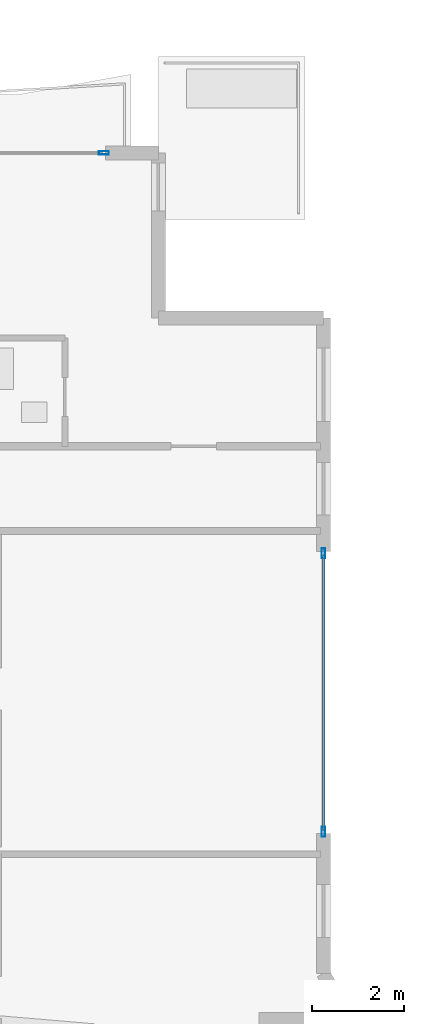
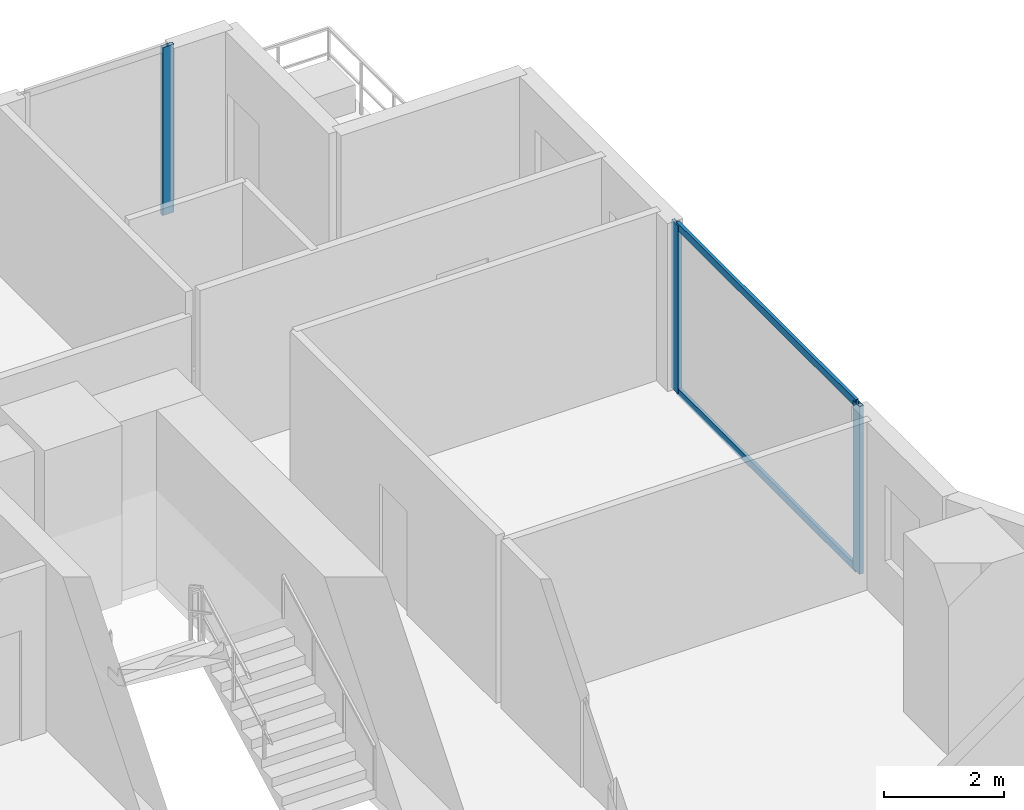
# One storey, part 17 of 28: 5 members, 2 elements without a shape of their own.
"""IFC4 building model written with IfcOpenShell, lengths in metres."""

from ifc_helpers import new_model, si_unit, direction, frame, origin, origin_2d, place, context, subcontext, project, spatial, hollow_rectangle, extrude, material, layer, layer_set, material_profile, profile_set, type_object, element, aggregate, save


model = new_model("IFC4")

# Units and contexts
model_context = context("Model", 3, precision=1e-05, world=origin(), true_north=direction((0.0, 1.0)))
body_context = subcontext(model_context, "Body", "Model", "MODEL_VIEW")
ifc_project = project(units=[si_unit("LENGTHUNIT", "METRE"), si_unit("AREAUNIT", "SQUARE_METRE"), si_unit("VOLUMEUNIT", "CUBIC_METRE"), si_unit("PLANEANGLEUNIT", "RADIAN"), si_unit("MASSUNIT", "GRAM", prefix="KILO")], contexts=[model_context])

# Site, building, storey
site_placement = place(None, origin())
site = spatial("IfcSite", under=ifc_project, at=site_placement, CompositionType="ELEMENT")
building_placement = place(site_placement, origin())
building = spatial("IfcBuilding", under=site, at=building_placement, Name="Zuhayl Quay Hotel", CompositionType="ELEMENT")
storey_placement = place(building_placement, frame((0.0, 0.0, 49.5)))
storey = spatial("IfcBuildingStorey", under=building, at=storey_placement, Name="L11", CompositionType="ELEMENT", Elevation=49.5)

# Curtain wall, member
ifc_material_1 = material(Name="Anodised Aluminium 6063-T6", Category="aluminium")
ifc_layer = layer(ifc_material_1, 0.18994140625, Name="Anodised Aluminium 6063-T6", Category="aluminium")
ifc_layer_set = layer_set([ifc_layer], Name="Anodised Aluminium 6063-T6")
curtain_wall_type = type_object("IfcCurtainWallType", Name="CW_SYS_Z1", PredefinedType="USERDEFINED", material=ifc_layer_set)
curtain_wall_1_placement = place(storey_placement, origin())
curtain_wall_1 = element("IfcCurtainWall", 1, at=curtain_wall_1_placement, inside=storey, type_object=curtain_wall_type, Name="L11 Curtain Wall ENV_L11_N_CW6", ObjectType="UNITISED CURTAIN WALL", PredefinedType="USERDEFINED")
ifc_material_2 = material(Name="Black-anodised aluminium 6063-T6", Category="aluminium")
ifc_material_profile_1 = material_profile(ifc_material_2, hollow_rectangle(XDim=0.074951171875, YDim=0.219970703125, WallThickness=0.00390625, at=origin_2d()), Name="ALU220X75")
ifc_profile_set_1 = profile_set([ifc_material_profile_1], Name="Black-anodised aluminium 6063-T6")
member_type_1 = type_object("IfcMemberType", Name="MB_CW_MUL_220", PredefinedType="MULLION", material=ifc_profile_set_1)
member_1_placement = place(storey_placement, frame((20.91259765625, 23.10009765625, 0.0), z_axis=(0.0, 0.0, 1.0), x_axis=(0.0, 1.0, 0.0)))
member_1 = element("IfcMember", 2, at=member_1_placement, type_object=member_type_1, Name="CW-Z1 mullion 2", PredefinedType="MULLION", context=body_context, shape_type="SweptSolid", body=[
    extrude(hollow_rectangle(XDim=0.074951171875, YDim=0.219970703125, WallThickness=0.00390625, at=origin_2d()), origin(), (0.0, 0.0, 1.0), 3.429931640625),
])
aggregate(curtain_wall_1, [member_1])

# Curtain wall, members
curtain_wall_2_placement = place(storey_placement, origin())
curtain_wall_2 = element("IfcCurtainWall", 3, at=curtain_wall_2_placement, inside=storey, type_object=curtain_wall_type, Name="L11 Curtain Wall ENV_L11_E11_CW1", ObjectType="UNITISED CURTAIN WALL", PredefinedType="USERDEFINED")
member_2_placement = place(storey_placement, frame((25.699951171875, 14.362548828125, 0.0), z_axis=(0.0, 0.0, 1.0), x_axis=(1.0, 0.0, 0.0)))
member_2 = element("IfcMember", 4, at=member_2_placement, type_object=member_type_1, Name="CW-Z1 mullion 1", PredefinedType="MULLION", context=body_context, shape_type="SweptSolid", body=[
    extrude(hollow_rectangle(XDim=0.074951171875, YDim=0.219970703125, WallThickness=0.00390625, at=origin_2d()), origin(), (0.0, 0.0, 1.0), 3.429931640625),
])
member_3_placement = place(storey_placement, frame((25.699951171875, 8.28759765625, 0.0), z_axis=(0.0, 0.0, 1.0), x_axis=(1.0, 0.0, 0.0)))
member_3 = element("IfcMember", 5, at=member_3_placement, type_object=member_type_1, Name="CW-Z1 mullion 2", PredefinedType="MULLION", context=body_context, shape_type="SweptSolid", body=[
    extrude(hollow_rectangle(XDim=0.074951171875, YDim=0.219970703125, WallThickness=0.00390625, at=origin_2d()), origin(), (0.0, 0.0, 1.0), 3.429931640625),
])
ifc_material_profile_2 = material_profile(ifc_material_2, hollow_rectangle(XDim=0.06005859375, YDim=0.14990234375, WallThickness=0.00341796875, at=origin_2d()), Name="ALU150X60")
ifc_profile_set_2 = profile_set([ifc_material_profile_2], Name="Black-anodised aluminium 6063-T6")
member_type_2 = type_object("IfcMemberType", Name="MB_CW_TRN_150", PredefinedType="USERDEFINED", material=ifc_profile_set_2)
member_4_placement = place(storey_placement, frame((25.699951171875, 14.324951171875, 0.030029296875), z_axis=(0.0, -1.0, 0.0), x_axis=(1.0, 0.0, 0.0)))
member_4 = element("IfcMember", 6, at=member_4_placement, type_object=member_type_2, Name="CW-Z1 transom 1.1", ObjectType="TRANSOM", PredefinedType="USERDEFINED", context=body_context, shape_type="SweptSolid", body=[
    extrude(hollow_rectangle(XDim=0.06005859375, YDim=0.14990234375, WallThickness=0.00341796875, at=origin_2d()), origin(), (0.0, 0.0, 1.0), 6.0),
])
member_5_placement = place(storey_placement, frame((25.699951171875, 14.324951171875, 3.39990234375), z_axis=(0.0, -1.0, 0.0), x_axis=(1.0, 0.0, 0.0)))
member_5 = element("IfcMember", 7, at=member_5_placement, type_object=member_type_2, Name="CW-Z1 transom 1.2", ObjectType="TRANSOM", PredefinedType="USERDEFINED", context=body_context, shape_type="SweptSolid", body=[
    extrude(hollow_rectangle(XDim=0.06005859375, YDim=0.14990234375, WallThickness=0.00341796875, at=origin_2d()), origin(), (0.0, 0.0, 1.0), 6.0),
])
aggregate(curtain_wall_2, [member_2, member_3, member_4, member_5])

save(model, "model.ifc")
